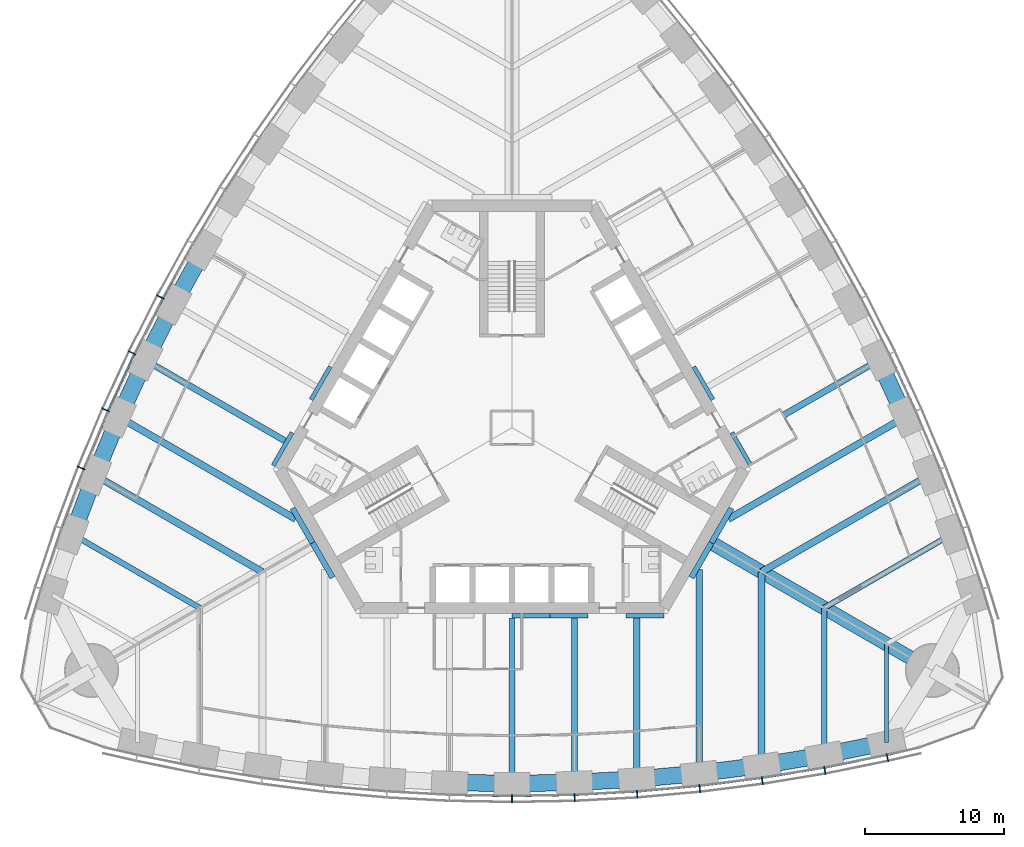
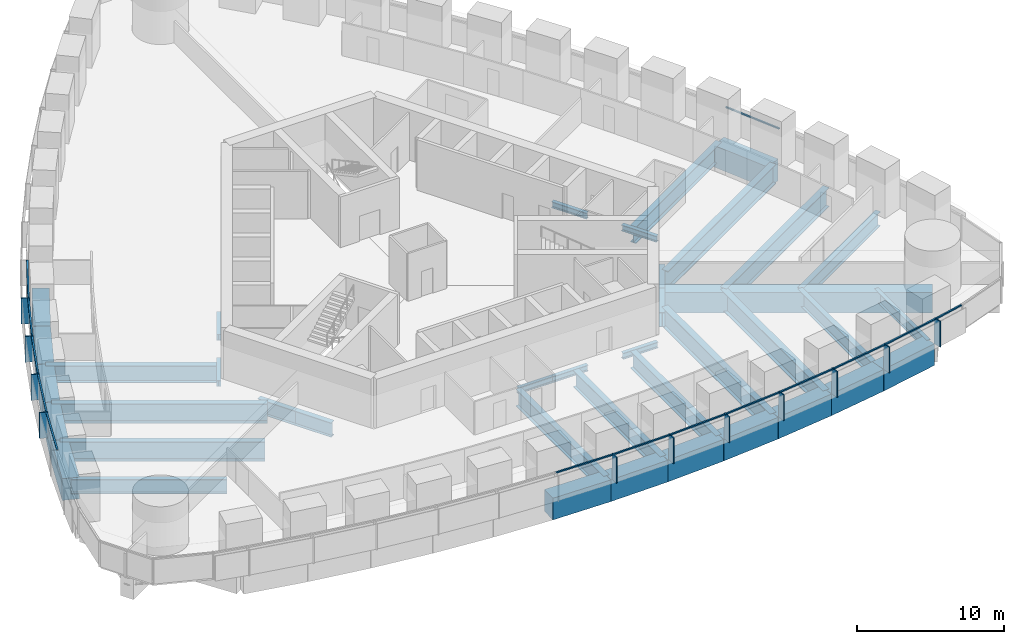
# One storey, part 3 of 18: 40 beams, 25 members, 3 elements without a shape of their own.
"""IFC4 building model written with IfcOpenShell, lengths in metres."""

from ifc_helpers import new_model, si_unit, direction, frame, origin, origin_2d, place, context, subcontext, project, spatial, rectangle, i_section, extrude, material, material_profile, profile_set, type_object, element, aggregate, save


model = new_model("IFC4")

# Units and contexts
model_context = context("Model", 3, precision=1e-05, world=origin(), true_north=direction((0.0, 1.0)))
body_context = subcontext(model_context, "Body", "Model", "MODEL_VIEW")
ifc_project = project(units=[si_unit("LENGTHUNIT", "METRE"), si_unit("AREAUNIT", "SQUARE_METRE"), si_unit("VOLUMEUNIT", "CUBIC_METRE"), si_unit("PLANEANGLEUNIT", "RADIAN"), si_unit("MASSUNIT", "GRAM", prefix="KILO")], contexts=[model_context])

# Site, building, storey
site_placement = place(None, origin())
site = spatial("IfcSite", under=ifc_project, at=site_placement, CompositionType="ELEMENT")
building_placement = place(site_placement, origin())
building = spatial("IfcBuilding", under=site, at=building_placement, Name="Trefoil Bronze Tower", CompositionType="ELEMENT")
storey_placement = place(building_placement, frame((0.0, 0.0, 174.5)))
storey = spatial("IfcBuildingStorey", under=building, at=storey_placement, Name="L40", CompositionType="ELEMENT", Elevation=174.5)

# Curtain wall, members
ifc_material_1 = material(Name="Tinted solar-control glass", Category="glass")
curtain_wall_type = type_object("IfcCurtainWallType", Name="Bronze office curtain wall", PredefinedType="USERDEFINED", material=ifc_material_1)
curtain_wall_1_placement = place(storey_placement, origin())
curtain_wall_1 = element("IfcCurtainWall", 1, at=curtain_wall_1_placement, inside=storey, type_object=curtain_wall_type, Name="CW-A L40 F1", ObjectType="CURTAIN WALL", PredefinedType="USERDEFINED")
ifc_material_2 = material(Name="Bronze-finish aluminium", Category="aluminium")
ifc_material_profile_1 = material_profile(ifc_material_2, rectangle(XDim=0.60009765625, YDim=0.080078125, at=origin_2d()), Name="CW-A mullion")
ifc_profile_set_1 = profile_set([ifc_material_profile_1], Name="Bronze-finish aluminium")
member_type_1 = type_object("IfcMemberType", Name="Bronze office curtain wall mullion", PredefinedType="MULLION", material=ifc_profile_set_1)
member_1_placement = place(storey_placement, frame((0.0, -26.749755859375, 0.0), z_axis=(0.0, 0.0, 1.0), x_axis=(0.0, 1.0, 0.0)))
member_1 = element("IfcMember", 2, at=member_1_placement, type_object=member_type_1, Name="CW-A L40 F1 mullion 8", PredefinedType="MULLION", context=body_context, shape_type="SweptSolid", body=[
    extrude(rectangle(XDim=0.60009765625, YDim=0.080078125, at=origin_2d()), origin(), (0.0, 0.0, 1.0), 2.14990234375),
])
member_2_placement = place(storey_placement, frame((4.5107421875, -26.66845703125, 0.0), z_axis=(0.0, 0.0, 1.0), x_axis=(-0.036047792107, 0.999350067136, 0.0)))
member_2 = element("IfcMember", 3, at=member_2_placement, type_object=member_type_1, Name="CW-A L40 F1 mullion 9", PredefinedType="MULLION", context=body_context, shape_type="SweptSolid", body=[
    extrude(rectangle(XDim=0.60009765625, YDim=0.080078125, at=origin_2d()), origin(), (0.0, 0.0, 1.0), 2.14990234375),
])
member_3_placement = place(storey_placement, frame((9.021728515625, -26.424072265625, 0.0), z_axis=(0.0, 0.0, 1.0), x_axis=(-0.072095676284, 0.997397720802, 0.0)))
member_3 = element("IfcMember", 4, at=member_3_placement, type_object=member_type_1, Name="CW-A L40 F1 mullion 10", PredefinedType="MULLION", context=body_context, shape_type="SweptSolid", body=[
    extrude(rectangle(XDim=0.60009765625, YDim=0.080078125, at=origin_2d()), origin(), (0.0, 0.0, 1.0), 2.14990234375),
])
member_4_placement = place(storey_placement, frame((13.532470703125, -26.01611328125, 0.0), z_axis=(0.0, 0.0, 1.0), x_axis=(-0.108143747013, 0.994135267447, 0.0)))
member_4 = element("IfcMember", 5, at=member_4_placement, type_object=member_type_1, Name="CW-A L40 F1 mullion 11", PredefinedType="MULLION", context=body_context, shape_type="SweptSolid", body=[
    extrude(rectangle(XDim=0.60009765625, YDim=0.080078125, at=origin_2d()), origin(), (0.0, 0.0, 1.0), 2.14990234375),
])
member_5_placement = place(storey_placement, frame((18.043212890625, -25.4423828125, 0.0), z_axis=(0.0, 0.0, 1.0), x_axis=(-0.144192103798, 0.989549714366, 0.0)))
member_5 = element("IfcMember", 6, at=member_5_placement, type_object=member_type_1, Name="CW-A L40 F1 mullion 12", PredefinedType="MULLION", context=body_context, shape_type="SweptSolid", body=[
    extrude(rectangle(XDim=0.60009765625, YDim=0.080078125, at=origin_2d()), origin(), (0.0, 0.0, 1.0), 2.14990234375),
])
member_6_placement = place(storey_placement, frame((22.553955078125, -24.700927734375, 0.0), z_axis=(0.0, 0.0, 1.0), x_axis=(-0.180240853954, 0.98362250613, 0.0)))
member_6 = element("IfcMember", 7, at=member_6_placement, type_object=member_type_1, Name="CW-A L40 F1 mullion 13", PredefinedType="MULLION", context=body_context, shape_type="SweptSolid", body=[
    extrude(rectangle(XDim=0.60009765625, YDim=0.080078125, at=origin_2d()), origin(), (0.0, 0.0, 1.0), 2.14990234375),
])
member_7_placement = place(storey_placement, frame((27.0634765625, -23.7890625, 0.0), z_axis=(0.0, 0.0, 1.0), x_axis=(-0.21197042503, 0.977276081214, 0.0)))
member_7 = element("IfcMember", 8, at=member_7_placement, type_object=member_type_1, Name="CW-A L40 F1 mullion 14", PredefinedType="MULLION", context=body_context, shape_type="SweptSolid", body=[
    extrude(rectangle(XDim=0.60009765625, YDim=0.080078125, at=origin_2d()), origin(), (0.0, 0.0, 1.0), 2.14990234375),
])

curtain_wall_2_placement = place(storey_placement, origin())
curtain_wall_2 = element("IfcCurtainWall", 9, at=curtain_wall_2_placement, inside=storey, type_object=curtain_wall_type, Name="CW-A L40 F3", ObjectType="CURTAIN WALL", PredefinedType="USERDEFINED")
member_8_placement = place(storey_placement, frame((-25.350830078125, 9.427734375, 0.0), z_axis=(0.0, 0.0, 1.0), x_axis=(0.883486441467, -0.468456729853, 0.0)))
member_8 = element("IfcMember", 10, at=member_8_placement, type_object=member_type_1, Name="CW-A L40 F3 mullion 9", PredefinedType="MULLION", context=body_context, shape_type="SweptSolid", body=[
    extrude(rectangle(XDim=0.60009765625, YDim=0.080078125, at=origin_2d()), origin(), (0.0, 0.0, 1.0), 2.14990234375),
])
member_9_placement = place(storey_placement, frame((-27.394775390625, 5.399169921875, 0.0), z_axis=(0.0, 0.0, 1.0), x_axis=(0.899819602033, -0.436262173236, 0.0)))
member_9 = element("IfcMember", 11, at=member_9_placement, type_object=member_type_1, Name="CW-A L40 F3 mullion 10", PredefinedType="MULLION", context=body_context, shape_type="SweptSolid", body=[
    extrude(rectangle(XDim=0.60009765625, YDim=0.080078125, at=origin_2d()), origin(), (0.0, 0.0, 1.0), 2.14990234375),
])
member_10_placement = place(storey_placement, frame((-29.296875, 1.28857421875, 0.0), z_axis=(0.0, 0.0, 1.0), x_axis=(0.915018269914, -0.40341240155, 0.0)))
member_10 = element("IfcMember", 12, at=member_10_placement, type_object=member_type_1, Name="CW-A L40 F3 mullion 11", PredefinedType="MULLION", context=body_context, shape_type="SweptSolid", body=[
    extrude(rectangle(XDim=0.60009765625, YDim=0.080078125, at=origin_2d()), origin(), (0.0, 0.0, 1.0), 2.14990234375),
])
member_11_placement = place(storey_placement, frame((-31.055419921875, -2.90478515625, 0.0), z_axis=(0.0, 0.0, 1.0), x_axis=(0.929071242848, -0.369900832269, 0.0)))
member_11 = element("IfcMember", 13, at=member_11_placement, type_object=member_type_1, Name="CW-A L40 F3 mullion 12", PredefinedType="MULLION", context=body_context, shape_type="SweptSolid", body=[
    extrude(rectangle(XDim=0.60009765625, YDim=0.080078125, at=origin_2d()), origin(), (0.0, 0.0, 1.0), 2.14990234375),
])

# Member
ifc_material_3 = material(Name="Bronze-finish aluminium", Category="aluminium")
ifc_material_profile_2 = material_profile(ifc_material_3, rectangle(XDim=0.1201171875, YDim=0.10009765625, at=origin_2d()), Name="CW-A transom")
ifc_profile_set_2 = profile_set([ifc_material_profile_2], Name="Bronze-finish aluminium")
member_type_2 = type_object("IfcMemberType", Name="Bronze office curtain wall transom", PredefinedType="USERDEFINED", material=ifc_profile_set_2)
member_12_placement = place(storey_placement, frame((-4.4619140625, -26.46923828125, 2.10009765625), z_axis=(0.999837930028, -0.018003157426, 0.0), x_axis=(0.018003157426, 0.999837930028, 0.0)))
member_12 = element("IfcMember", 14, at=member_12_placement, type_object=member_type_2, Name="CW-A L40 F1 transom 7", ObjectType="TRANSOM", PredefinedType="USERDEFINED", context=body_context, shape_type="SweptSolid", body=[
    extrude(rectangle(XDim=0.1201171875, YDim=0.10009765625, at=origin_2d()), origin(), (0.0, 0.0, 1.0), 4.4208984375),
])

member_13_placement = place(storey_placement, frame((0.041748046875, -26.548828125, 2.10009765625), z_axis=(0.999837930028, 0.018003157426, 0.0), x_axis=(-0.018003157426, 0.999837930028, 0.0)))
member_13 = element("IfcMember", 15, at=member_13_placement, type_object=member_type_2, Name="CW-A L40 F1 transom 8", ObjectType="TRANSOM", PredefinedType="USERDEFINED", context=body_context, shape_type="SweptSolid", body=[
    extrude(rectangle(XDim=0.1201171875, YDim=0.10009765625, at=origin_2d()), origin(), (0.0, 0.0, 1.0), 4.4208984375),
])

member_14_placement = place(storey_placement, frame((4.54541015625, -26.46630859375, 2.10009765625), z_axis=(0.998538253569, 0.054049571306, 0.0), x_axis=(-0.054049571306, 0.998538253569, 0.0)))
member_14 = element("IfcMember", 16, at=member_14_placement, type_object=member_type_2, Name="CW-A L40 F1 transom 9", ObjectType="TRANSOM", PredefinedType="USERDEFINED", context=body_context, shape_type="SweptSolid", body=[
    extrude(rectangle(XDim=0.1201171875, YDim=0.10009765625, at=origin_2d()), origin(), (0.0, 0.0, 1.0), 4.4267578125),
])

member_15_placement = place(storey_placement, frame((9.048828125, -26.220947265625, 2.10009765625), z_axis=(0.995932787062, 0.090099298863, 0.0), x_axis=(-0.090099298863, 0.995932787062, 0.0)))
member_15 = element("IfcMember", 17, at=member_15_placement, type_object=member_type_2, Name="CW-A L40 F1 transom 10", ObjectType="TRANSOM", PredefinedType="USERDEFINED", context=body_context, shape_type="SweptSolid", body=[
    extrude(rectangle(XDim=0.1201171875, YDim=0.10009765625, at=origin_2d()), origin(), (0.0, 0.0, 1.0), 4.4384765625),
])

member_16_placement = place(storey_placement, frame((13.55224609375, -25.81201171875, 2.10009765625), z_axis=(0.992008387848, 0.12617193998, 0.0), x_axis=(-0.12617193998, 0.992008387848, 0.0)))
member_16 = element("IfcMember", 18, at=member_16_placement, type_object=member_type_2, Name="CW-A L40 F1 transom 11", ObjectType="TRANSOM", PredefinedType="USERDEFINED", context=body_context, shape_type="SweptSolid", body=[
    extrude(rectangle(XDim=0.1201171875, YDim=0.10009765625, at=origin_2d()), origin(), (0.0, 0.0, 1.0), 4.456298828125),
])

member_17_placement = place(storey_placement, frame((18.0556640625, -25.23779296875, 2.10009765625), z_axis=(0.986755265284, 0.162216048636, 0.0), x_axis=(-0.162216048636, 0.986755265284, 0.0)))
member_17 = element("IfcMember", 19, at=member_17_placement, type_object=member_type_2, Name="CW-A L40 F1 transom 12", ObjectType="TRANSOM", PredefinedType="USERDEFINED", context=body_context, shape_type="SweptSolid", body=[
    extrude(rectangle(XDim=0.1201171875, YDim=0.10009765625, at=origin_2d()), origin(), (0.0, 0.0, 1.0), 4.48046875),
])

member_18_placement = place(storey_placement, frame((22.55908203125, -24.49609375, 2.10009765625), z_axis=(0.980153749225, 0.198238815273, 0.0), x_axis=(-0.198238815273, 0.980153749225, 0.0)))
member_18 = element("IfcMember", 20, at=member_18_placement, type_object=member_type_2, Name="CW-A L40 F1 transom 13", ObjectType="TRANSOM", PredefinedType="USERDEFINED", context=body_context, shape_type="SweptSolid", body=[
    extrude(rectangle(XDim=0.1201171875, YDim=0.10009765625, at=origin_2d()), origin(), (0.0, 0.0, 1.0), 4.51123046875),
])

member_19_placement = place(storey_placement, frame((27.0615234375, -23.584228515625, 2.10009765625), z_axis=(0.974206243495, 0.225659467196, 0.0), x_axis=(-0.225659467196, 0.974206243495, 0.0)))
member_19 = element("IfcMember", 21, at=member_19_placement, type_object=member_type_2, Name="CW-A L40 F1 transom 14", ObjectType="TRANSOM", PredefinedType="USERDEFINED", context=body_context, shape_type="SweptSolid", body=[
    extrude(rectangle(XDim=0.1201171875, YDim=0.10009765625, at=origin_2d()), origin(), (0.0, 0.0, 1.0), 2.340087890625),
])

aggregate(curtain_wall_1, [member_1, member_2, member_3, member_4, member_5, member_6, member_7, member_12, member_13, member_14, member_15, member_16, member_17, member_18, member_19])

# Curtain wall, member
curtain_wall_3_placement = place(storey_placement, origin())
curtain_wall_3 = element("IfcCurtainWall", 22, at=curtain_wall_3_placement, inside=storey, type_object=curtain_wall_type, Name="CW-A L40 F2", ObjectType="CURTAIN WALL", PredefinedType="USERDEFINED")
member_20_placement = place(storey_placement, frame((29.09619140625, 1.245849609375, 2.10009765625), z_axis=(-0.419923072198, 0.907559702409, 0.0), x_axis=(-0.907559702409, -0.419923072198, 0.0)))
member_20 = element("IfcMember", 23, at=member_20_placement, type_object=member_type_2, Name="CW-A L40 F2 transom 5", ObjectType="TRANSOM", PredefinedType="USERDEFINED", context=body_context, shape_type="SweptSolid", body=[
    extrude(rectangle(XDim=0.1201171875, YDim=0.10009765625, at=origin_2d()), origin(), (0.0, 0.0, 1.0), 4.4384765625),
])
aggregate(curtain_wall_3, [member_20])

# Member
member_21_placement = place(storey_placement, frame((-23.012939453125, 13.23828125, 2.10009765625), z_axis=(-0.484329470343, -0.874885686337, 0.0), x_axis=(0.874885686337, -0.484329470343, 0.0)))
member_21 = element("IfcMember", 24, at=member_21_placement, type_object=member_type_2, Name="CW-A L40 F3 transom 8", ObjectType="TRANSOM", PredefinedType="USERDEFINED", context=body_context, shape_type="SweptSolid", body=[
    extrude(rectangle(XDim=0.1201171875, YDim=0.10009765625, at=origin_2d()), origin(), (0.0, 0.0, 1.0), 4.4208984375),
])

member_22_placement = place(storey_placement, frame((-25.193115234375, 9.296630859375, 2.10009765625), z_axis=(-0.452478489814, -0.891775317138, 0.0), x_axis=(0.891775317138, -0.452478489814, 0.0)))
member_22 = element("IfcMember", 25, at=member_22_placement, type_object=member_type_2, Name="CW-A L40 F3 transom 9", ObjectType="TRANSOM", PredefinedType="USERDEFINED", context=body_context, shape_type="SweptSolid", body=[
    extrude(rectangle(XDim=0.1201171875, YDim=0.10009765625, at=origin_2d()), origin(), (0.0, 0.0, 1.0), 4.426513671875),
])

member_23_placement = place(storey_placement, frame((-27.232421875, 5.27392578125, 2.10009765625), z_axis=(-0.419923072198, -0.907559702409, 0.0), x_axis=(0.907559702409, -0.419923072198, 0.0)))
member_23 = element("IfcMember", 26, at=member_23_placement, type_object=member_type_2, Name="CW-A L40 F3 transom 10", ObjectType="TRANSOM", PredefinedType="USERDEFINED", context=body_context, shape_type="SweptSolid", body=[
    extrude(rectangle(XDim=0.1201171875, YDim=0.10009765625, at=origin_2d()), origin(), (0.0, 0.0, 1.0), 4.4384765625),
])

member_24_placement = place(storey_placement, frame((-29.1298828125, 1.16943359375, 2.10009765625), z_axis=(-0.386773266184, -0.922174842731, 0.0), x_axis=(0.922174842731, -0.386773266184, 0.0)))
member_24 = element("IfcMember", 27, at=member_24_placement, type_object=member_type_2, Name="CW-A L40 F3 transom 11", ObjectType="TRANSOM", PredefinedType="USERDEFINED", context=body_context, shape_type="SweptSolid", body=[
    extrude(rectangle(XDim=0.1201171875, YDim=0.10009765625, at=origin_2d()), origin(), (0.0, 0.0, 1.0), 4.45654296875),
])

member_25_placement = place(storey_placement, frame((-30.88427734375, -3.017822265625, 2.10009765625), z_axis=(-0.352932154759, -0.935648916067, 0.0), x_axis=(0.935648916067, -0.352932154759, 0.0)))
member_25 = element("IfcMember", 28, at=member_25_placement, type_object=member_type_2, Name="CW-A L40 F3 transom 12", ObjectType="TRANSOM", PredefinedType="USERDEFINED", context=body_context, shape_type="SweptSolid", body=[
    extrude(rectangle(XDim=0.1201171875, YDim=0.10009765625, at=origin_2d()), origin(), (0.0, 0.0, 1.0), 4.48046875),
])

aggregate(curtain_wall_2, [member_8, member_9, member_10, member_11, member_21, member_22, member_23, member_24, member_25])

# Beams
ifc_material_4 = material(Name="Steel C355", Category="steel")
ifc_material_profile_3 = material_profile(ifc_material_4, i_section(OverallWidth=0.300048828125, OverallDepth=0.5, WebThickness=0.014404296875, FlangeThickness=0.028076171875, FilletRadius=0.027099609375, at=origin_2d()), Name="HEB 500")
ifc_profile_set_3 = profile_set([ifc_material_profile_3], Name="Steel C355")
beam_type_1 = type_object("IfcBeamType", Name="Core seat beam HEB 500", PredefinedType="BEAM", material=ifc_profile_set_3)
for number, where, z_axis, x_axis, name in (
    (29, (0.0, -13.550048828125, -0.449951171875), (1.0, 0.0, 0.0), (0.0, 1.0, 0.0), "Core seat beam F1/+0 L40"),
    (30, (2.742431640625, -13.550048828125, -0.449951171875), (1.0, 0.0, 0.0), (0.0, 1.0, 0.0), "Core seat beam F1/+1 L40"),
    (31, (8.227294921875, -13.550048828125, -0.449951171875), (1.0, 0.0, 0.0), (0.0, 1.0, 0.0), "Core seat beam F1/+2 L40"),
    (32, (17.219482421875, -2.72509765625, -0.449951171875), (-0.500035825175, 0.866004719122, 0.0), (-0.866004719122, -0.500035825175, 0.0), "Core seat beam F2/-2 L40"),
    (33, (14.47705078125, 2.02490234375, -0.449951171875), (-0.499969057507, 0.866043267704, 0.0), (-0.866043267704, -0.499969057507, 0.0), "Core seat beam F2/-1 L40"),
    (34, (-13.10595703125, 4.39990234375, -0.449951171875), (-0.499969057507, -0.866043267704, 0.0), (0.866043267704, -0.499969057507, 0.0), "Core seat beam F3/+1 L40"),
    (35, (-15.84814453125, -0.35009765625, -0.449951171875), (-0.500035825175, -0.866004719122, 0.0), (0.866004719122, -0.500035825175, 0.0), "Core seat beam F3/+2 L40"),
):
    element("IfcBeam", number, at=place(storey_placement, frame(where, z_axis=z_axis, x_axis=x_axis)), inside=storey, type_object=beam_type_1, Name=name, PredefinedType="BEAM", context=body_context, shape_type="SweptSolid", body=[
        extrude(i_section(OverallWidth=0.300048828125, OverallDepth=0.5, WebThickness=0.014404296875, FlangeThickness=0.028076171875, FilletRadius=0.027099609375, at=origin_2d()), origin(), (0.0, 0.0, 1.0), 2.742431640625),
    ])
ifc_material_5 = material(Name="Steel C355", Category="steel")
ifc_material_profile_4 = material_profile(ifc_material_5, i_section(OverallWidth=0.39990234375, OverallDepth=1.199951171875, WebThickness=0.02001953125, FlangeThickness=0.0400390625, FilletRadius=0.010009765625, at=origin_2d()), Name="WPG 1200")
ifc_profile_set_4 = profile_set([ifc_material_profile_4], Name="Steel C355")
beam_type_2 = type_object("IfcBeamType", Name="Core seat beam WPG 1200", PredefinedType="BEAM", material=ifc_profile_set_4)
for number, where, z_axis, x_axis, name in (
    (36, (-14.3759765625, -8.300048828125, -0.800048828125), (0.499995765644, -0.866027848477, 0.0), (0.866027848477, 0.499995765644, 0.0), "Core seat beam F1/-3 L40"),
    (37, (12.9326171875, -10.800048828125, -0.800048828125), (0.499995765644, 0.866027848477, 0.0), (-0.866027848477, 0.499995765644, 0.0), "Core seat beam F1/+3 L40"),
    (38, (14.3759765625, -8.300048828125, -0.800048828125), (0.499995765644, 0.866027848477, 0.0), (-0.866027848477, 0.499995765644, 0.0), "Core seat beam F2/-3 L40"),
    (39, (-15.8193359375, -5.800048828125, -0.800048828125), (0.499995765644, -0.866027848477, 0.0), (0.866027848477, 0.499995765644, 0.0), "Core seat beam F3/+3 L40"),
):
    element("IfcBeam", number, at=place(storey_placement, frame(where, z_axis=z_axis, x_axis=x_axis)), inside=storey, type_object=beam_type_2, Name=name, PredefinedType="BEAM", context=body_context, shape_type="SweptSolid", body=[
        extrude(i_section(OverallWidth=0.39990234375, OverallDepth=1.199951171875, WebThickness=0.02001953125, FlangeThickness=0.0400390625, FilletRadius=0.010009765625, at=origin_2d()), origin(), (0.0, 0.0, 1.0), 2.88671875),
    ])
ifc_material_6 = material(Name="Concrete B80", Category="concrete")
ifc_material_profile_5 = material_profile(ifc_material_6, rectangle(XDim=1.0, YDim=1.699951171875, at=origin_2d()), Name="RC 1000x1700")
ifc_profile_set_5 = profile_set([ifc_material_profile_5], Name="Concrete B80")
beam_type_3 = type_object("IfcBeamType", Name="Corner girder RC 1000x1700", PredefinedType="BEAM", material=ifc_profile_set_5)
beam_1_placement = place(storey_placement, frame((14.202880859375, -8.199951171875, -1.050048828125), z_axis=(0.866022084834, -0.500005748546, 0.0), x_axis=(0.500005748546, 0.866022084834, 0.0)))
element("IfcBeam", 40, at=beam_1_placement, inside=storey, type_object=beam_type_3, Name="Corner girder K1 L40", PredefinedType="BEAM", context=body_context, shape_type="SweptSolid", body=[
    extrude(rectangle(XDim=1.0, YDim=1.699951171875, at=origin_2d()), origin(), (0.0, 0.0, 1.0), 18.599853515625),
])
ifc_material_7 = material(Name="Steel C355", Category="steel")
ifc_material_profile_6 = material_profile(ifc_material_7, i_section(OverallWidth=0.300048828125, OverallDepth=0.89990234375, WebThickness=0.0185546875, FlangeThickness=0.034912109375, FilletRadius=0.030029296875, at=origin_2d()), Name="HEB 900")
ifc_profile_set_6 = profile_set([ifc_material_profile_6], Name="Steel C355")
beam_type_4 = type_object("IfcBeamType", Name="Floor beam HEB 900", PredefinedType="BEAM", material=ifc_profile_set_6)
beam_2_placement = place(storey_placement, frame((27.0, -22.67724609375, -0.64990234375), z_axis=(0.0, 1.0, 0.0), x_axis=(-1.0, 0.0, 0.0)))
element("IfcBeam", 41, at=beam_2_placement, inside=storey, type_object=beam_type_4, Name="Floor beam F1/+6 L40", PredefinedType="BEAM", context=body_context, shape_type="SweptSolid", body=[
    extrude(i_section(OverallWidth=0.300048828125, OverallDepth=0.89990234375, WebThickness=0.0185546875, FlangeThickness=0.034912109375, FilletRadius=0.030029296875, at=origin_2d()), origin(), (0.0, 0.0, 1.0), 7.0888671875),
])
ifc_material_8 = material(Name="Steel C355", Category="steel")
ifc_material_profile_7 = material_profile(ifc_material_8, i_section(OverallWidth=0.39990234375, OverallDepth=1.199951171875, WebThickness=0.02001953125, FlangeThickness=0.0400390625, FilletRadius=0.010009765625, at=origin_2d()), Name="WPG 1200")
ifc_profile_set_7 = profile_set([ifc_material_profile_7], Name="Steel C355")
beam_type_5 = type_object("IfcBeamType", Name="Floor beam WPG 1200", PredefinedType="BEAM", material=ifc_profile_set_7)
beam_3_placement = place(storey_placement, frame((22.5, -23.592529296875, -0.800048828125), z_axis=(0.0, 1.0, 0.0), x_axis=(-1.0, 0.0, 0.0)))
element("IfcBeam", 42, at=beam_3_placement, inside=storey, type_object=beam_type_5, Name="Floor beam F1/+5 L40", PredefinedType="BEAM", context=body_context, shape_type="SweptSolid", body=[
    extrude(i_section(OverallWidth=0.39990234375, OverallDepth=1.199951171875, WebThickness=0.02001953125, FlangeThickness=0.0400390625, FilletRadius=0.010009765625, at=origin_2d()), origin(), (0.0, 0.0, 1.0), 10.60205078125),
])
for number, where, z_axis, x_axis, name in (
    (43, (31.681884765625, -7.689208984375, -0.800048828125), (-0.866021079084, -0.500007490527, 0.0), (0.500007490527, -0.866021079084, 0.0), "Floor beam F2/-5 L40"),
    (44, (-31.681884765625, -7.689208984375, -0.800048828125), (0.866021079084, -0.500007490527, 0.0), (0.500007490527, 0.866021079084, 0.0), "Floor beam F3/+5 L40"),
):
    element("IfcBeam", number, at=place(storey_placement, frame(where, z_axis=z_axis, x_axis=x_axis)), inside=storey, type_object=beam_type_5, Name=name, PredefinedType="BEAM", context=body_context, shape_type="SweptSolid", body=[
        extrude(i_section(OverallWidth=0.39990234375, OverallDepth=1.199951171875, WebThickness=0.02001953125, FlangeThickness=0.0400390625, FilletRadius=0.010009765625, at=origin_2d()), origin(), (0.0, 0.0, 1.0), 10.602294921875),
    ])
ifc_material_9 = material(Name="Steel C355", Category="steel")
ifc_material_profile_8 = material_profile(ifc_material_9, i_section(OverallWidth=0.449951171875, OverallDepth=1.39990234375, WebThickness=0.02294921875, FlangeThickness=0.044921875, FilletRadius=0.011962890625, at=origin_2d()), Name="WPG 1400")
ifc_profile_set_8 = profile_set([ifc_material_profile_8], Name="Steel C355")
beam_type_6 = type_object("IfcBeamType", Name="Floor beam WPG 1400", PredefinedType="BEAM", material=ifc_profile_set_8)
beam_4_placement = place(storey_placement, frame((0.0, -25.649658203125, -0.89990234375), z_axis=(0.0, 1.0, 0.0), x_axis=(-1.0, 0.0, 0.0)))
element("IfcBeam", 45, at=beam_4_placement, inside=storey, type_object=beam_type_6, Name="Floor beam F1/+0 L40", PredefinedType="BEAM", context=body_context, shape_type="SweptSolid", body=[
    extrude(i_section(OverallWidth=0.449951171875, OverallDepth=1.39990234375, WebThickness=0.02294921875, FlangeThickness=0.044921875, FilletRadius=0.011962890625, at=origin_2d()), origin(), (0.0, 0.0, 1.0), 11.94970703125),
])
beam_5_placement = place(storey_placement, frame((4.5, -25.568115234375, -0.89990234375), z_axis=(0.0, 1.0, 0.0), x_axis=(-1.0, 0.0, 0.0)))
element("IfcBeam", 46, at=beam_5_placement, inside=storey, type_object=beam_type_6, Name="Floor beam F1/+1 L40", PredefinedType="BEAM", context=body_context, shape_type="SweptSolid", body=[
    extrude(i_section(OverallWidth=0.449951171875, OverallDepth=1.39990234375, WebThickness=0.02294921875, FlangeThickness=0.044921875, FilletRadius=0.011962890625, at=origin_2d()), origin(), (0.0, 0.0, 1.0), 11.8681640625),
])
for number, where, z_axis, x_axis, name in (
    (47, (9.0, -25.32275390625, -0.89990234375), (0.0, 1.0, 0.0), (-1.0, 0.0, 0.0), "Floor beam F1/+2 L40"),
    (48, (26.43017578125, 4.8671875, -0.89990234375), (-0.866021531335, -0.500006707218, 0.0), (0.500006707218, -0.866021531335, 0.0), "Floor beam F2/-2 L40"),
    (49, (-26.43017578125, 4.8671875, -0.89990234375), (0.866021531335, -0.500006707218, 0.0), (0.500006707218, 0.866021531335, 0.0), "Floor beam F3/+2 L40"),
):
    element("IfcBeam", number, at=place(storey_placement, frame(where, z_axis=z_axis, x_axis=x_axis)), inside=storey, type_object=beam_type_6, Name=name, PredefinedType="BEAM", context=body_context, shape_type="SweptSolid", body=[
        extrude(i_section(OverallWidth=0.449951171875, OverallDepth=1.39990234375, WebThickness=0.02294921875, FlangeThickness=0.044921875, FilletRadius=0.011962890625, at=origin_2d()), origin(), (0.0, 0.0, 1.0), 11.622802734375),
    ])
ifc_material_10 = material(Name="Steel C355", Category="steel")
ifc_material_profile_9 = material_profile(ifc_material_10, i_section(OverallWidth=0.5, OverallDepth=1.60009765625, WebThickness=0.02587890625, FlangeThickness=0.050048828125, FilletRadius=0.011962890625, at=origin_2d()), Name="WPG 1600")
ifc_profile_set_9 = profile_set([ifc_material_profile_9], Name="Steel C355")
beam_type_7 = type_object("IfcBeamType", Name="Floor beam WPG 1600", PredefinedType="BEAM", material=ifc_profile_set_9)
beam_6_placement = place(storey_placement, frame((13.5, -24.9130859375, -1.0), z_axis=(0.0, 1.0, 0.0), x_axis=(-1.0, 0.0, 0.0)))
element("IfcBeam", 50, at=beam_6_placement, inside=storey, type_object=beam_type_7, Name="Floor beam F1/+3 L40", PredefinedType="BEAM", context=body_context, shape_type="SweptSolid", body=[
    extrude(i_section(OverallWidth=0.5, OverallDepth=1.60009765625, WebThickness=0.02587890625, FlangeThickness=0.050048828125, FilletRadius=0.011962890625, at=origin_2d()), origin(), (0.0, 0.0, 1.0), 14.69580078125),
])
for number, where, z_axis, x_axis, name in (
    (51, (18.0, -24.337158203125, -1.0), (0.0, 1.0, 0.0), (-1.0, 0.0, 0.0), "Floor beam F1/+4 L40"),
    (52, (30.07666015625, -3.419921875, -1.0), (-0.866026983775, -0.499997263366, 0.0), (0.499997263366, -0.866026983775, 0.0), "Floor beam F2/-4 L40"),
):
    element("IfcBeam", number, at=place(storey_placement, frame(where, z_axis=z_axis, x_axis=x_axis)), inside=storey, type_object=beam_type_7, Name=name, PredefinedType="BEAM", context=body_context, shape_type="SweptSolid", body=[
        extrude(i_section(OverallWidth=0.5, OverallDepth=1.60009765625, WebThickness=0.02587890625, FlangeThickness=0.050048828125, FilletRadius=0.011962890625, at=origin_2d()), origin(), (0.0, 0.0, 1.0), 13.94482421875),
    ])
for number, where, z_axis, x_axis, name in (
    (53, (28.325439453125, 0.76513671875, -1.0), (-0.866027342682, -0.499996641717, 0.0), (0.499996641717, -0.866027342682, 0.0), "Floor beam F2/-3 L40"),
    (54, (-28.325439453125, 0.76513671875, -1.0), (0.866027342682, -0.499996641717, 0.0), (0.499996641717, 0.866027342682, 0.0), "Floor beam F3/+3 L40"),
):
    element("IfcBeam", number, at=place(storey_placement, frame(where, z_axis=z_axis, x_axis=x_axis)), inside=storey, type_object=beam_type_7, Name=name, PredefinedType="BEAM", context=body_context, shape_type="SweptSolid", body=[
        extrude(i_section(OverallWidth=0.5, OverallDepth=1.60009765625, WebThickness=0.02587890625, FlangeThickness=0.050048828125, FilletRadius=0.011962890625, at=origin_2d()), origin(), (0.0, 0.0, 1.0), 14.69580078125),
    ])
beam_7_placement = place(storey_placement, frame((-30.07666015625, -3.419921875, -1.0), z_axis=(0.866026983775, -0.499997263366, 0.0), x_axis=(0.499997263366, 0.866026983775, 0.0)))
element("IfcBeam", 55, at=beam_7_placement, inside=storey, type_object=beam_type_7, Name="Floor beam F3/+4 L40", PredefinedType="BEAM", context=body_context, shape_type="SweptSolid", body=[
    extrude(i_section(OverallWidth=0.5, OverallDepth=1.60009765625, WebThickness=0.02587890625, FlangeThickness=0.050048828125, FilletRadius=0.011962890625, at=origin_2d()), origin(), (0.0, 0.0, 1.0), 13.94482421875),
])
ifc_material_11 = material(Name="Concrete B80", Category="concrete")
ifc_material_profile_10 = material_profile(ifc_material_11, rectangle(XDim=1.199951171875, YDim=1.800048828125, at=origin_2d()), Name="RC 1200x1800")
ifc_profile_set_10 = profile_set([ifc_material_profile_10], Name="Concrete B80")
beam_type_8 = type_object("IfcBeamType", Name="Spandrel beam RC 1200x1800", PredefinedType="SPANDREL", material=ifc_profile_set_10)
for number, where, z_axis, x_axis, name in (
    (56, (-4.5, -25.568115234375, -1.10009765625), (0.999835861267, -0.01811768542, 0.0), (0.01811768542, 0.999835861267, 0.0), "Spandrel F1.7 L40"),
    (57, (0.0, -25.649658203125, -1.10009765625), (0.999835861267, 0.01811768542, 0.0), (-0.01811768542, 0.999835861267, 0.0), "Spandrel F1.8 L40"),
):
    element("IfcBeam", number, at=place(storey_placement, frame(where, z_axis=z_axis, x_axis=x_axis)), inside=storey, type_object=beam_type_8, Name=name, PredefinedType="SPANDREL", context=body_context, shape_type="SweptSolid", body=[
        extrude(rectangle(XDim=1.199951171875, YDim=1.800048828125, at=origin_2d()), origin(), (0.0, 0.0, 1.0), 4.500732421875),
    ])
beam_8_placement = place(storey_placement, frame((4.5, -25.568115234375, -1.10009765625), z_axis=(0.998516832602, 0.054443870267, 0.0), x_axis=(-0.054443870267, 0.998516832602, 0.0)))
element("IfcBeam", 58, at=beam_8_placement, inside=storey, type_object=beam_type_8, Name="Spandrel F1.9 L40", PredefinedType="SPANDREL", context=body_context, shape_type="SweptSolid", body=[
    extrude(rectangle(XDim=1.199951171875, YDim=1.800048828125, at=origin_2d()), origin(), (0.0, 0.0, 1.0), 4.506591796875),
])
beam_9_placement = place(storey_placement, frame((9.0, -25.32275390625, -1.10009765625), z_axis=(0.995881683815, 0.090662405894, 0.0), x_axis=(-0.090662405894, 0.995881683815, 0.0)))
element("IfcBeam", 59, at=beam_9_placement, inside=storey, type_object=beam_type_8, Name="Spandrel F1.10 L40", PredefinedType="SPANDREL", context=body_context, shape_type="SweptSolid", body=[
    extrude(rectangle(XDim=1.199951171875, YDim=1.800048828125, at=origin_2d()), origin(), (0.0, 0.0, 1.0), 4.5185546875),
])
beam_10_placement = place(storey_placement, frame((13.5, -24.9130859375, -1.10009765625), z_axis=(0.991909314257, 0.126948463126, 0.0), x_axis=(-0.126948463126, 0.991909314257, 0.0)))
element("IfcBeam", 60, at=beam_10_placement, inside=storey, type_object=beam_type_8, Name="Spandrel F1.11 L40", PredefinedType="SPANDREL", context=body_context, shape_type="SweptSolid", body=[
    extrude(rectangle(XDim=1.199951171875, YDim=1.800048828125, at=origin_2d()), origin(), (0.0, 0.0, 1.0), 4.53662109375),
])
beam_11_placement = place(storey_placement, frame((18.0, -24.337158203125, -1.10009765625), z_axis=(0.986584214684, 0.163253138823, 0.0), x_axis=(-0.163253138823, 0.986584214684, 0.0)))
element("IfcBeam", 61, at=beam_11_placement, inside=storey, type_object=beam_type_8, Name="Spandrel F1.12 L40", PredefinedType="SPANDREL", context=body_context, shape_type="SweptSolid", body=[
    extrude(rectangle(XDim=1.199951171875, YDim=1.800048828125, at=origin_2d()), origin(), (0.0, 0.0, 1.0), 4.561279296875),
])
beam_12_placement = place(storey_placement, frame((22.5, -23.592529296875, -1.10009765625), z_axis=(0.979935430296, 0.199315208777, 0.0), x_axis=(-0.199315208777, 0.979935430296, 0.0)))
element("IfcBeam", 62, at=beam_12_placement, inside=storey, type_object=beam_type_8, Name="Spandrel F1.13 L40", PredefinedType="SPANDREL", context=body_context, shape_type="SweptSolid", body=[
    extrude(rectangle(XDim=1.199951171875, YDim=1.800048828125, at=origin_2d()), origin(), (0.0, 0.0, 1.0), 4.592041015625),
])
beam_13_placement = place(storey_placement, frame((28.325439453125, 0.76513671875, -1.10009765625), z_axis=(-0.419424747755, 0.907790108434, 0.0), x_axis=(-0.907790108434, -0.419424747755, 0.0)))
element("IfcBeam", 63, at=beam_13_placement, inside=storey, type_object=beam_type_8, Name="Spandrel F2.5 L40", PredefinedType="SPANDREL", context=body_context, shape_type="SweptSolid", body=[
    extrude(rectangle(XDim=1.199951171875, YDim=1.800048828125, at=origin_2d()), origin(), (0.0, 0.0, 1.0), 4.518798828125),
])
beam_14_placement = place(storey_placement, frame((-22.21337890625, 12.824951171875, -1.10009765625), z_axis=(-0.484186866546, -0.874964615436, 0.0), x_axis=(0.874964615436, -0.484186866546, 0.0)))
element("IfcBeam", 64, at=beam_14_placement, inside=storey, type_object=beam_type_8, Name="Spandrel F3.8 L40", PredefinedType="SPANDREL", context=body_context, shape_type="SweptSolid", body=[
    extrude(rectangle(XDim=1.199951171875, YDim=1.800048828125, at=origin_2d()), origin(), (0.0, 0.0, 1.0), 4.500732421875),
])
beam_15_placement = place(storey_placement, frame((-24.392578125, 8.886962890625, -1.10009765625), z_axis=(-0.452125717735, -0.891954222683, 0.0), x_axis=(0.891954222683, -0.452125717735, 0.0)))
element("IfcBeam", 65, at=beam_15_placement, inside=storey, type_object=beam_type_8, Name="Spandrel F3.9 L40", PredefinedType="SPANDREL", context=body_context, shape_type="SweptSolid", body=[
    extrude(rectangle(XDim=1.199951171875, YDim=1.800048828125, at=origin_2d()), origin(), (0.0, 0.0, 1.0), 4.506591796875),
])
beam_16_placement = place(storey_placement, frame((-26.43017578125, 4.8671875, -1.10009765625), z_axis=(-0.419424747755, -0.907790108434, 0.0), x_axis=(0.907790108434, -0.419424747755, 0.0)))
element("IfcBeam", 66, at=beam_16_placement, inside=storey, type_object=beam_type_8, Name="Spandrel F3.10 L40", PredefinedType="SPANDREL", context=body_context, shape_type="SweptSolid", body=[
    extrude(rectangle(XDim=1.199951171875, YDim=1.800048828125, at=origin_2d()), origin(), (0.0, 0.0, 1.0), 4.518798828125),
])
beam_17_placement = place(storey_placement, frame((-28.325439453125, 0.76513671875, -1.10009765625), z_axis=(-0.386013490858, -0.922493135408, 0.0), x_axis=(0.922493135408, -0.386013490858, 0.0)))
element("IfcBeam", 67, at=beam_17_placement, inside=storey, type_object=beam_type_8, Name="Spandrel F3.11 L40", PredefinedType="SPANDREL", context=body_context, shape_type="SweptSolid", body=[
    extrude(rectangle(XDim=1.199951171875, YDim=1.800048828125, at=origin_2d()), origin(), (0.0, 0.0, 1.0), 4.53662109375),
])
beam_18_placement = place(storey_placement, frame((-30.07666015625, -3.419921875, -1.10009765625), z_axis=(-0.351938675523, -0.936023059904, 0.0), x_axis=(0.936023059904, -0.351938675523, 0.0)))
element("IfcBeam", 68, at=beam_18_placement, inside=storey, type_object=beam_type_8, Name="Spandrel F3.12 L40", PredefinedType="SPANDREL", context=body_context, shape_type="SweptSolid", body=[
    extrude(rectangle(XDim=1.199951171875, YDim=1.800048828125, at=origin_2d()), origin(), (0.0, 0.0, 1.0), 4.56103515625),
])

save(model, "model.ifc")
